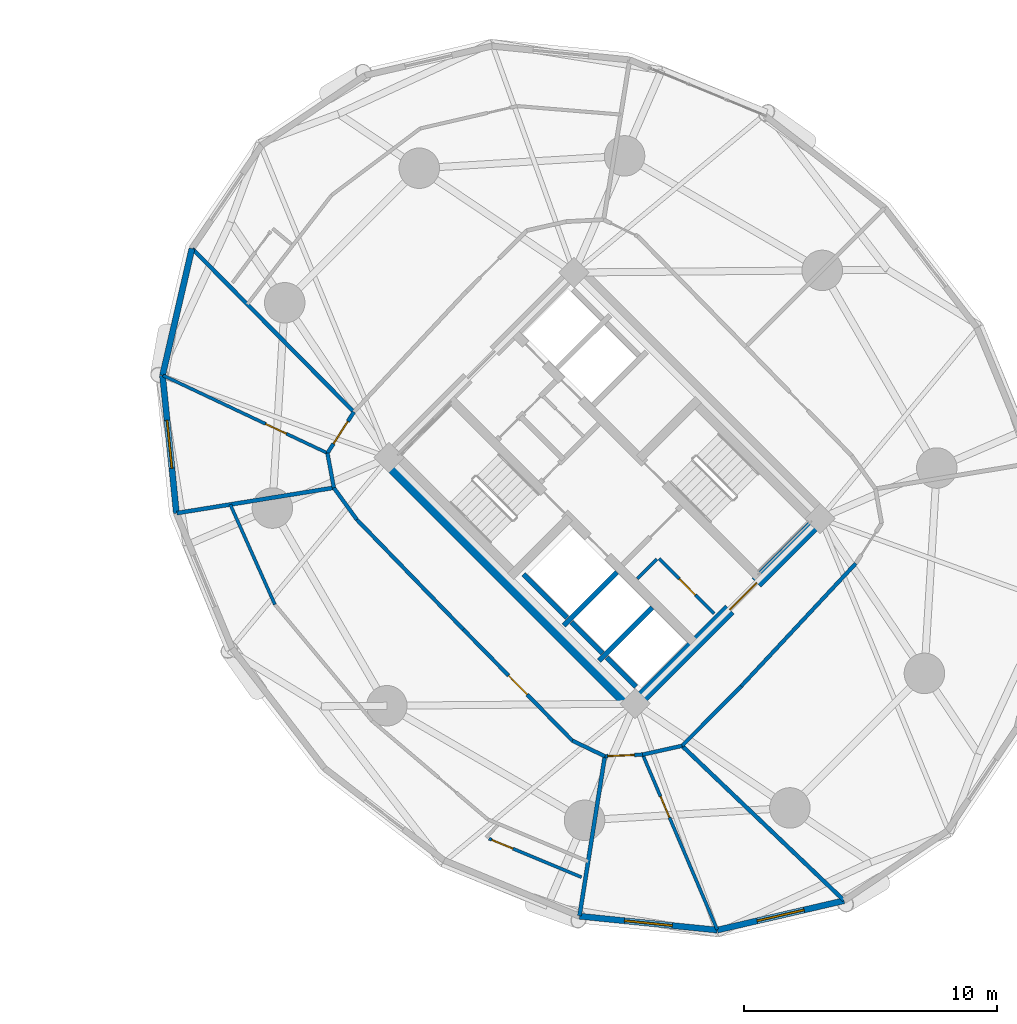
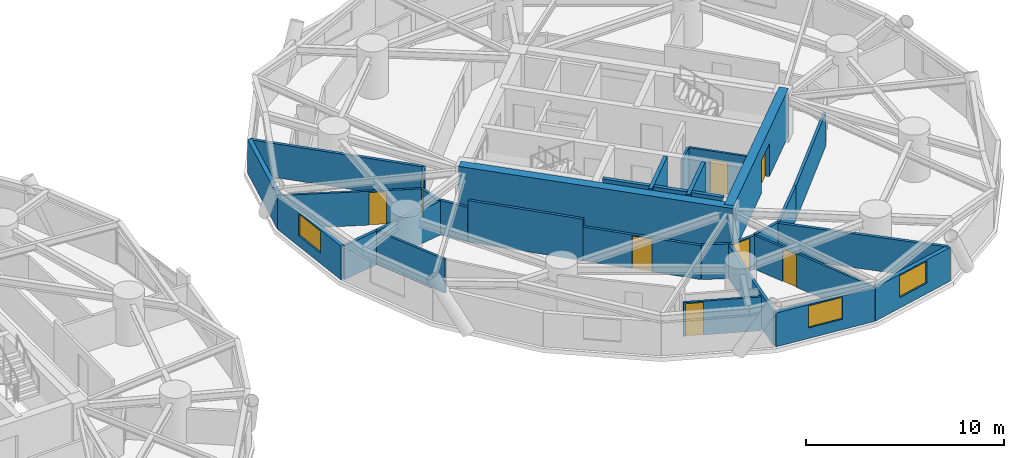
# One storey, part 11 of 16: 31 walls, 8 doors, 3 windows, 11 openings.
"""IFC4 building model written with IfcOpenShell, lengths in metres."""

from ifc_helpers import new_model, si_unit, direction, frame, frame_2d, origin, place, context, subcontext, project, spatial, rectangle, extrude, source, transform, mapped, material, layer, layer_set, type_object, element, fill, save


model = new_model("IFC4")

# Units and contexts
model_context = context("Model", 3, precision=1e-05, world=origin(), true_north=direction((0.0, 1.0)))
body_context = subcontext(model_context, "Body", "Model", "MODEL_VIEW")
ifc_project = project(units=[si_unit("LENGTHUNIT", "METRE"), si_unit("AREAUNIT", "SQUARE_METRE"), si_unit("VOLUMEUNIT", "CUBIC_METRE"), si_unit("PLANEANGLEUNIT", "RADIAN"), si_unit("MASSUNIT", "GRAM", prefix="KILO")], contexts=[model_context])

# Site, building, storey
site_placement = place(None, origin())
site = spatial("IfcSite", under=ifc_project, at=site_placement, CompositionType="ELEMENT")
building_placement = place(site_placement, origin())
building = spatial("IfcBuilding", under=site, at=building_placement, Name="Cununo Teusaquillo Station Towers", CompositionType="ELEMENT")
storey_placement = place(building_placement, frame((0.0, 0.0, 62.739990234375)))
storey = spatial("IfcBuildingStorey", under=building, at=storey_placement, Name="L19", CompositionType="ELEMENT", Elevation=62.739990234375)

# Walls
ifc_material_1 = material(Name="Concrete C50/60", Category="concrete")
ifc_layer_1 = layer(ifc_material_1, 0.199951171875)
ifc_layer_set_1 = layer_set([ifc_layer_1], Name="Concrete C50/60")
wall_type_1 = type_object("IfcWallType", Name="WL-CORE-200", PredefinedType="SHEAR", material=ifc_layer_set_1)
wall_1_placement = place(storey_placement, frame((55.8876953125, 19.0693359375, 0.0), z_axis=(0.0, 0.0, 1.0), x_axis=(0.707106781187, 0.707106781187, 0.0)))
element("IfcWall", 1, at=wall_1_placement, inside=storey, type_object=wall_type_1, Name="L19 Tower B Firefighting Lift Shaft South Shear Wall", PredefinedType="SHEAR", context=body_context, shape_type="SweptSolid", body=[
    extrude(rectangle(XDim=2.969970703125, YDim=0.199951171875, at=frame_2d((1.48486328125, 0.0))), origin(), (0.0, 0.0, 1.0), 2.909912109375),
])
wall_2_placement = place(storey_placement, frame((56.01513671875, 19.366455078125, 0.0), z_axis=(0.0, 0.0, 1.0), x_axis=(-0.707106781187, 0.707106781187, 0.0)))
element("IfcWall", 2, at=wall_2_placement, inside=storey, type_object=wall_type_1, Name="L19 Tower B Firefighting Lift Shaft Rear Shear Wall", PredefinedType="SHEAR", context=body_context, shape_type="SweptSolid", body=[
    extrude(rectangle(XDim=2.43994140625, YDim=0.199951171875, at=frame_2d((1.219970703125, 0.0))), origin(), (0.0, 0.0, 1.0), 2.909912109375),
])
wall_3_placement = place(storey_placement, frame((57.2841796875, 17.6728515625, 0.0), z_axis=(0.0, 0.0, 1.0), x_axis=(0.707147878904, 0.70706568108, 0.0)))
element("IfcWall", 3, at=wall_3_placement, inside=storey, type_object=wall_type_1, Name="L19 Tower B High-Rise Lift Hoistway Divider Shear Wall", PredefinedType="SHEAR", context=body_context, shape_type="SweptSolid", body=[
    extrude(rectangle(XDim=2.97021484375, YDim=0.199951171875, at=frame_2d((1.485107421875, 0.0))), origin(), (0.0, 0.0, 1.0), 2.909912109375),
])
wall_4_placement = place(storey_placement, frame((57.41162109375, 17.969970703125, 0.0), z_axis=(0.0, 0.0, 1.0), x_axis=(-0.707106781187, 0.707106781187, 0.0)))
element("IfcWall", 4, at=wall_4_placement, inside=storey, type_object=wall_type_1, Name="L19 Tower B High-Rise Lift 2 Shaft Rear Shear Wall", PredefinedType="SHEAR", context=body_context, shape_type="SweptSolid", body=[
    extrude(rectangle(XDim=1.73486328125, YDim=0.199951171875, at=frame_2d((0.867431640625, 0.0))), origin(), (0.0, 0.0, 1.0), 2.909912109375),
])
wall_5_placement = place(storey_placement, frame((58.7373046875, 16.64404296875, 0.0), z_axis=(0.0, 0.0, 1.0), x_axis=(-0.707032117043, 0.707181437447, 0.0)))
element("IfcWall", 5, at=wall_5_placement, inside=storey, type_object=wall_type_1, Name="L19 Tower B High-Rise Lift 1 Shaft Rear Shear Wall", PredefinedType="SHEAR", context=body_context, shape_type="SweptSolid", body=[
    extrude(rectangle(XDim=1.635009765625, YDim=0.199951171875, at=frame_2d((0.8173828125, 0.0))), origin(), (0.0, 0.0, 1.0), 2.909912109375),
])
ifc_material_2 = material(Name="Concrete C60/75", Category="concrete")
ifc_layer_2 = layer(ifc_material_2, 0.5)
ifc_layer_set_2 = layer_set([ifc_layer_2], Name="Concrete C60/75")
wall_type_2 = type_object("IfcWallType", Name="WL-CORE-500", PredefinedType="SHEAR", material=ifc_layer_set_2)
wall_6_placement = place(storey_placement, frame((58.772705078125, 15.6611328125, 0.0), z_axis=(0.0, 0.0, 1.0), x_axis=(-0.707106781187, 0.707106781187, 0.0)))
element("IfcWall", 6, at=wall_6_placement, inside=storey, type_object=wall_type_2, Name="L19 Tower B Core Shear Wall W", PredefinedType="SHEAR", context=body_context, shape_type="SweptSolid", body=[
    extrude(rectangle(XDim=14.2998046875, YDim=0.5, at=frame_2d((7.14990234375, 0.0))), origin(), (0.0, 0.0, 1.0), 2.909912109375),
])

# Wall, opening, door
wall_7_placement = place(storey_placement, frame((58.595947265625, 15.837890625, 0.0), z_axis=(0.0, 0.0, 1.0), x_axis=(0.707106781187, 0.707106781187, 0.0)))
wall_7 = element("IfcWall", 7, at=wall_7_placement, inside=storey, type_object=wall_type_2, Name="L19 Tower B Core Shear Wall S", PredefinedType="SHEAR", context=body_context, shape_type="SweptSolid", body=[
    extrude(rectangle(XDim=10.7001953125, YDim=0.5, at=frame_2d((5.35009765625, 0.0))), origin(), (0.0, 0.0, 1.0), 2.909912109375),
])
shared_shape_1 = source(origin(), body_context, "Body", "SweptSolid", [
    extrude(rectangle(XDim=1.5, YDim=2.02001953125, at=frame_2d((0.75, 1.010009765625))), frame((0.0, 0.260009765625, 0.0), z_axis=(0.0, -1.0, 0.0), x_axis=(1.0, 0.0, 0.0)), (0.0, 0.0, 1.0), 0.52001953125),
])
opening_1_placement = place(wall_7_placement, frame((5.449951171875, 0.0, 0.0)))
opening_1 = element("IfcOpeningElement", 8, at=opening_1_placement, cuts=wall_7, Name="Opening D-LB1", PredefinedType="OPENING", context=body_context, shape_type="MappedRepresentation", body=[
    mapped(shared_shape_1, transform((0.0, 0.0, 0.0), x_axis=(1.0, 0.0, 0.0), y_axis=(0.0, 1.0, 0.0), z_axis=(0.0, 0.0, 1.0), scale=1.0)),
])
ifc_material_3 = material(Name="Galvanised fire-rated hollow steel door assembly", Category="steel")
door_type_1 = type_object("IfcDoorType", Name="DR-LOBBY-1500", OperationType="DOUBLE_DOOR_SINGLE_SWING", PredefinedType="DOOR", material=ifc_material_3)
shared_shape_2 = source(origin(), body_context, "Body", "SweptSolid", [
    extrude(rectangle(XDim=1.5, YDim=2.02001953125, at=frame_2d((0.75, 1.010009765625))), frame((0.0, 0.02490234375, 0.0), z_axis=(0.0, -1.0, 0.0), x_axis=(1.0, 0.0, 0.0)), (0.0, 0.0, 1.0), 0.050048828125),
])
door_1_placement = place(opening_1_placement, origin())
door_1 = element("IfcDoor", 9, at=door_1_placement, inside=storey, type_object=door_type_1, Name="L19 Tower B South Core Lift Lobby Door", OperationType="DOUBLE_DOOR_SINGLE_SWING", OverallHeight=2.02001953125, OverallWidth=1.5, PredefinedType="DOOR", context=body_context, shape_type="MappedRepresentation", body=[
    mapped(shared_shape_2, transform((0.0, 0.0, 0.0), x_axis=(1.0, 0.0, 0.0), y_axis=(0.0, 1.0, 0.0), z_axis=(0.0, 0.0, 1.0), scale=1.0)),
])
fill(opening_1, door_1)

# Wall
ifc_material_4 = material(Name="Precast concrete C40/50", Category="concrete")
ifc_layer_3 = layer(ifc_material_4, 0.239990234375)
ifc_layer_set_3 = layer_set([ifc_layer_3], Name="Precast concrete C40/50")
wall_type_3 = type_object("IfcWallType", Name="WL-EXT-240", PredefinedType="SOLIDWALL", material=ifc_layer_set_3)
wall_8_placement = place(storey_placement, frame((40.023681640625, 28.95654296875, 0.0), z_axis=(0.0, 0.0, 1.0), x_axis=(0.225833060959, 0.974166016949, 0.0)))
element("IfcWall", 10, at=wall_8_placement, inside=storey, type_object=wall_type_3, Name="L19 Tower B Exterior Facade Wall C06", PredefinedType="SOLIDWALL", context=body_context, shape_type="SweptSolid", body=[
    extrude(rectangle(XDim=5.14599609375, YDim=0.239990234375, at=frame_2d((2.572998046875, 0.0))), origin(), (0.0, 0.0, 1.0), 2.0791015625),
])

# Wall, opening, window
wall_9_placement = place(storey_placement, frame((40.572265625, 23.50732421875, 0.0), z_axis=(0.0, 0.0, 1.0), x_axis=(-0.100165739718, 0.994970765694, 0.0)))
wall_9 = element("IfcWall", 11, at=wall_9_placement, inside=storey, type_object=wall_type_3, Name="L19 Tower B Exterior Facade Wall C07", PredefinedType="SOLIDWALL", context=body_context, shape_type="SweptSolid", body=[
    extrude(rectangle(XDim=5.476806640625, YDim=0.239990234375, at=frame_2d((2.73828125, 0.0))), origin(), (0.0, 0.0, 1.0), 2.0791015625),
])
shared_shape_3 = source(origin(), body_context, "Body", "SweptSolid", [
    extrude(rectangle(XDim=1.89990234375, YDim=1.35009765625, at=frame_2d((0.949951171875, 0.675048828125))), frame((0.0, 0.1298828125, 0.0), z_axis=(0.0, -1.0, 0.0), x_axis=(1.0, 0.0, 0.0)), (0.0, 0.0, 1.0), 0.260009765625),
])
opening_2_placement = place(wall_9_placement, frame((1.7880859375, 0.0, 0.64990234375)))
opening_2 = element("IfcOpeningElement", 12, at=opening_2_placement, cuts=wall_9, Name="Opening WN-02", PredefinedType="OPENING", context=body_context, shape_type="MappedRepresentation", body=[
    mapped(shared_shape_3, transform((0.0, 0.0, 0.0), x_axis=(1.0, 0.0, 0.0), y_axis=(0.0, 1.0, 0.0), z_axis=(0.0, 0.0, 1.0), scale=1.0)),
])
ifc_material_5 = material(Name="Operable acoustic tinted low-E double glazing", Category="glass")
window_type = type_object("IfcWindowType", Name="WIN-OPER-1900", PartitioningType="DOUBLE_PANEL_VERTICAL", PredefinedType="WINDOW", material=ifc_material_5)
shared_shape_4 = source(origin(), body_context, "Body", "SweptSolid", [
    extrude(rectangle(XDim=1.89990234375, YDim=1.35009765625, at=frame_2d((0.949951171875, 0.675048828125))), frame((0.0, 0.030029296875, 0.0), z_axis=(0.0, -1.0, 0.0), x_axis=(1.0, 0.0, 0.0)), (0.0, 0.0, 1.0), 0.06005859375),
])
window_1_placement = place(opening_2_placement, origin())
window_1 = element("IfcWindow", 13, at=window_1_placement, inside=storey, type_object=window_type, Name="L19 Tower B Facade Window C07", OverallHeight=1.35009765625, OverallWidth=1.89990234375, PartitioningType="DOUBLE_PANEL_VERTICAL", PredefinedType="WINDOW", context=body_context, shape_type="MappedRepresentation", body=[
    mapped(shared_shape_4, transform((0.0, 0.0, 0.0), x_axis=(1.0, 0.0, 0.0), y_axis=(0.0, 1.0, 0.0), z_axis=(0.0, 0.0, 1.0), scale=1.0)),
])
fill(opening_2, window_1)

wall_10_placement = place(storey_placement, frame((61.95654296875, 7.023681640625, 0.0), z_axis=(0.0, 0.0, 1.0), x_axis=(-0.994970765694, 0.100165739718, 0.0)))
wall_10 = element("IfcWall", 14, at=wall_10_placement, inside=storey, type_object=wall_type_3, Name="L19 Tower B Exterior Facade Wall C12", PredefinedType="SOLIDWALL", context=body_context, shape_type="SweptSolid", body=[
    extrude(rectangle(XDim=5.476806640625, YDim=0.239990234375, at=frame_2d((2.73828125, 0.0))), origin(), (0.0, 0.0, 1.0), 2.0791015625),
])
opening_3_placement = place(wall_10_placement, frame((1.7880859375, 0.0, 0.64990234375)))
opening_3 = element("IfcOpeningElement", 15, at=opening_3_placement, cuts=wall_10, Name="Opening WN-02", PredefinedType="OPENING", context=body_context, shape_type="MappedRepresentation", body=[
    mapped(shared_shape_3, transform((0.0, 0.0, 0.0), x_axis=(1.0, 0.0, 0.0), y_axis=(0.0, 1.0, 0.0), z_axis=(0.0, 0.0, 1.0), scale=1.0)),
])
window_2_placement = place(opening_3_placement, origin())
window_2 = element("IfcWindow", 16, at=window_2_placement, inside=storey, type_object=window_type, Name="L19 Tower B Facade Window C12", OverallHeight=1.35009765625, OverallWidth=1.89990234375, PartitioningType="DOUBLE_PANEL_VERTICAL", PredefinedType="WINDOW", context=body_context, shape_type="MappedRepresentation", body=[
    mapped(shared_shape_4, transform((0.0, 0.0, 0.0), x_axis=(1.0, 0.0, 0.0), y_axis=(0.0, 1.0, 0.0), z_axis=(0.0, 0.0, 1.0), scale=1.0)),
])
fill(opening_3, window_2)

wall_11_placement = place(storey_placement, frame((66.969482421875, 8.185791015625, 0.0), z_axis=(0.0, 0.0, 1.0), x_axis=(-0.974166016949, -0.225833060959, 0.0)))
wall_11 = element("IfcWall", 17, at=wall_11_placement, inside=storey, type_object=wall_type_3, Name="L19 Tower B Exterior Facade Wall C13", PredefinedType="SOLIDWALL", context=body_context, shape_type="SweptSolid", body=[
    extrude(rectangle(XDim=5.14599609375, YDim=0.239990234375, at=frame_2d((2.572998046875, 0.0))), origin(), (0.0, 0.0, 1.0), 2.0791015625),
])
opening_4_placement = place(wall_11_placement, frame((1.623046875, 0.0, 0.64990234375)))
opening_4 = element("IfcOpeningElement", 18, at=opening_4_placement, cuts=wall_11, Name="Opening WN-02", PredefinedType="OPENING", context=body_context, shape_type="MappedRepresentation", body=[
    mapped(shared_shape_3, transform((0.0, 0.0, 0.0), x_axis=(1.0, 0.0, 0.0), y_axis=(0.0, 1.0, 0.0), z_axis=(0.0, 0.0, 1.0), scale=1.0)),
])
window_3_placement = place(opening_4_placement, origin())
window_3 = element("IfcWindow", 19, at=window_3_placement, inside=storey, type_object=window_type, Name="L19 Tower B Facade Window C13", OverallHeight=1.35009765625, OverallWidth=1.89990234375, PartitioningType="DOUBLE_PANEL_VERTICAL", PredefinedType="WINDOW", context=body_context, shape_type="MappedRepresentation", body=[
    mapped(shared_shape_4, transform((0.0, 0.0, 0.0), x_axis=(1.0, 0.0, 0.0), y_axis=(0.0, 1.0, 0.0), z_axis=(0.0, 0.0, 1.0), scale=1.0)),
])
fill(opening_4, window_3)

# Wall, opening, door
ifc_material_6 = material(Name="Fire-rated gypsum plasterboard partition assembly", Category="gypsum")
ifc_layer_4 = layer(ifc_material_6, 0.125)
ifc_layer_set_4 = layer_set([ifc_layer_4], Name="Fire-rated gypsum plasterboard partition assembly")
wall_type_4 = type_object("IfcWallType", Name="WL-PART-125", PredefinedType="PARTITIONING", material=ifc_layer_set_4)
wall_12_placement = place(storey_placement, frame((61.834716796875, 19.529052734375, 0.0), z_axis=(0.0, 0.0, 1.0), x_axis=(-0.707146413884, 0.707067146267, 0.0)))
wall_12 = element("IfcWall", 20, at=wall_12_placement, inside=storey, type_object=wall_type_4, Name="L19 Tower B South-West Tall Store East Wall", PredefinedType="PARTITIONING", context=body_context, shape_type="SweptSolid", body=[
    extrude(rectangle(XDim=3.079833984375, YDim=0.125, at=frame_2d((1.5400390625, 0.0))), origin(), (0.0, 0.0, 1.0), 2.554931640625),
])
shared_shape_5 = source(origin(), body_context, "Body", "SweptSolid", [
    extrude(rectangle(XDim=0.89990234375, YDim=2.0048828125, at=frame_2d((0.449951171875, 1.00244140625))), frame((0.0, 0.072509765625, 0.0), z_axis=(0.0, -1.0, 0.0), x_axis=(1.0, 0.0, 0.0)), (0.0, 0.0, 1.0), 0.14501953125),
])
opening_5_placement = place(wall_12_placement, frame((1.050048828125, 0.0, 0.0)))
opening_5 = element("IfcOpeningElement", 21, at=opening_5_placement, cuts=wall_12, Name="Opening D-SR1", PredefinedType="OPENING", context=body_context, shape_type="MappedRepresentation", body=[
    mapped(shared_shape_5, transform((0.0, 0.0, 0.0), x_axis=(1.0, 0.0, 0.0), y_axis=(0.0, 1.0, 0.0), z_axis=(0.0, 0.0, 1.0), scale=1.0)),
])
ifc_material_7 = material(Name="Galvanised fire-rated hollow steel door assembly", Category="steel")
door_type_2 = type_object("IfcDoorType", Name="DR-STORE-900", OperationType="NOTDEFINED", PredefinedType="DOOR", material=ifc_material_7)
shared_shape_6 = source(origin(), body_context, "Body", "SweptSolid", [
    extrude(rectangle(XDim=0.89990234375, YDim=2.0048828125, at=frame_2d((0.449951171875, 1.00244140625))), frame((0.0, 0.02490234375, 0.0), z_axis=(0.0, -1.0, 0.0), x_axis=(1.0, 0.0, 0.0)), (0.0, 0.0, 1.0), 0.050048828125),
])
door_2_placement = place(opening_5_placement, origin())
door_2 = element("IfcDoor", 22, at=door_2_placement, inside=storey, type_object=door_type_2, Name="L19 Tower B South Cleaners Store Door", OperationType="SINGLE_SWING_LEFT", OverallHeight=2.0048828125, OverallWidth=0.89990234375, PredefinedType="DOOR", context=body_context, shape_type="MappedRepresentation", body=[
    mapped(shared_shape_6, transform((0.0, 0.0, 0.0), x_axis=(1.0, 0.0, 0.0), y_axis=(0.0, 1.0, 0.0), z_axis=(0.0, 0.0, 1.0), scale=1.0)),
])
fill(opening_5, door_2)

# Wall
wall_13_placement = place(storey_placement, frame((58.7939453125, 20.9150390625, 0.0), z_axis=(0.0, 0.0, 1.0), x_axis=(0.707106781187, 0.707106781187, 0.0)))
element("IfcWall", 23, at=wall_13_placement, inside=storey, type_object=wall_type_4, Name="L19 Tower B South-West Tall Store North Wall", PredefinedType="PARTITIONING", context=body_context, shape_type="SweptSolid", body=[
    extrude(rectangle(XDim=1.10009765625, YDim=0.125, at=frame_2d((0.550048828125, 0.0))), origin(), (0.0, 0.0, 1.0), 2.554931640625),
])

# Wall, opening, door
wall_14_placement = place(storey_placement, frame((46.543212890625, 25.882080078125, 0.0), z_axis=(0.0, 0.0, 1.0), x_axis=(-0.904143350922, 0.427229213635, 0.0)))
wall_14 = element("IfcWall", 24, at=wall_14_placement, inside=storey, type_object=wall_type_4, Name="L19 Tower B Wellness Fitness & Movement Hall Suite Subdividing Wall", PredefinedType="PARTITIONING", context=body_context, shape_type="SweptSolid", body=[
    extrude(rectangle(XDim=7.18896484375, YDim=0.125, at=frame_2d((3.594482421875, 0.0))), origin(), (0.0, 0.0, 1.0), 2.0791015625),
])
opening_6_placement = place(wall_14_placement, frame((1.800048828125, 0.0, 0.0)))
opening_6 = element("IfcOpeningElement", 25, at=opening_6_placement, cuts=wall_14, Name="Opening D-IN1", PredefinedType="OPENING", context=body_context, shape_type="MappedRepresentation", body=[
    mapped(shared_shape_5, transform((0.0, 0.0, 0.0), x_axis=(1.0, 0.0, 0.0), y_axis=(0.0, 1.0, 0.0), z_axis=(0.0, 0.0, 1.0), scale=1.0)),
])
ifc_material_8 = material(Name="Acoustic solid-core hardwood leaf assembly", Category="wood")
door_type_3 = type_object("IfcDoorType", Name="DR-INT-900", OperationType="NOTDEFINED", PredefinedType="DOOR", material=ifc_material_8)
door_3_placement = place(opening_6_placement, origin())
door_3 = element("IfcDoor", 26, at=door_3_placement, inside=storey, type_object=door_type_3, Name="L19 Tower B Wellness Fitness & Movement Hall Suite Connecting Door", OperationType="SINGLE_SWING_RIGHT", OverallHeight=2.0048828125, OverallWidth=0.89990234375, PredefinedType="DOOR", context=body_context, shape_type="MappedRepresentation", body=[
    mapped(shared_shape_6, transform((0.0, 0.0, 0.0), x_axis=(1.0, 0.0, 0.0), y_axis=(0.0, 1.0, 0.0), z_axis=(0.0, 0.0, 1.0), scale=1.0)),
])
fill(opening_6, door_3)

# Wall
wall_15_placement = place(storey_placement, frame((42.701171875, 23.851318359375, 0.0), z_axis=(0.0, 0.0, 1.0), x_axis=(0.407189252031, -0.913343808777, 0.0)))
element("IfcWall", 27, at=wall_15_placement, inside=storey, type_object=wall_type_4, Name="L19 Tower B Executive Wellness Hotel Suite Concentric Partition Wall C08", PredefinedType="PARTITIONING", context=body_context, shape_type="SweptSolid", body=[
    extrude(rectangle(XDim=4.33203125, YDim=0.125, at=frame_2d((2.166015625, 0.0))), origin(), (0.0, 0.0, 1.0), 2.0791015625),
])

# Wall, opening, door
wall_16_placement = place(storey_placement, frame((52.929931640625, 10.63818359375, 0.0), z_axis=(0.0, 0.0, 1.0), x_axis=(0.923065985722, -0.384641633217, 0.0)))
wall_16 = element("IfcWall", 28, at=wall_16_placement, inside=storey, type_object=wall_type_4, Name="L19 Tower B S03 En-suite Back Wall", PredefinedType="PARTITIONING", context=body_context, shape_type="SweptSolid", body=[
    extrude(rectangle(XDim=3.962646484375, YDim=0.125, at=frame_2d((1.9814453125, 0.0))), origin(), (0.0, 0.0, 1.0), 2.0791015625),
])
opening_7_placement = place(wall_16_placement, frame((0.1201171875, 0.0, 0.0)))
opening_7 = element("IfcOpeningElement", 29, at=opening_7_placement, cuts=wall_16, Name="Opening D-IN1", PredefinedType="OPENING", context=body_context, shape_type="MappedRepresentation", body=[
    mapped(shared_shape_5, transform((0.0, 0.0, 0.0), x_axis=(1.0, 0.0, 0.0), y_axis=(0.0, 1.0, 0.0), z_axis=(0.0, 0.0, 1.0), scale=1.0)),
])
door_4_placement = place(opening_7_placement, origin())
door_4 = element("IfcDoor", 30, at=door_4_placement, inside=storey, type_object=door_type_3, Name="L19 Tower B S03 En-suite Bathroom Door", OperationType="SINGLE_SWING_LEFT", OverallHeight=2.0048828125, OverallWidth=0.89990234375, PredefinedType="DOOR", context=body_context, shape_type="MappedRepresentation", body=[
    mapped(shared_shape_6, transform((0.0, 0.0, 0.0), x_axis=(1.0, 0.0, 0.0), y_axis=(0.0, 1.0, 0.0), z_axis=(0.0, 0.0, 1.0), scale=1.0)),
])
fill(opening_7, door_4)

wall_17_placement = place(storey_placement, frame((59.008056640625, 13.962890625, 0.0), z_axis=(0.0, 0.0, 1.0), x_axis=(0.391653414374, -0.920112820805, 0.0)))
wall_17 = element("IfcWall", 31, at=wall_17_placement, inside=storey, type_object=wall_type_4, Name="L19 Tower B Botanical Relaxation Tea Lounge Suite Subdividing Wall", PredefinedType="PARTITIONING", context=body_context, shape_type="SweptSolid", body=[
    extrude(rectangle(XDim=7.520263671875, YDim=0.125, at=frame_2d((3.76025390625, 0.0))), origin(), (0.0, 0.0, 1.0), 2.0791015625),
])
opening_8_placement = place(wall_17_placement, frame((1.800048828125, 0.0, 0.0)))
opening_8 = element("IfcOpeningElement", 32, at=opening_8_placement, cuts=wall_17, Name="Opening D-IN1", PredefinedType="OPENING", context=body_context, shape_type="MappedRepresentation", body=[
    mapped(shared_shape_5, transform((0.0, 0.0, 0.0), x_axis=(1.0, 0.0, 0.0), y_axis=(0.0, 1.0, 0.0), z_axis=(0.0, 0.0, 1.0), scale=1.0)),
])
door_5_placement = place(opening_8_placement, origin())
door_5 = element("IfcDoor", 33, at=door_5_placement, inside=storey, type_object=door_type_3, Name="L19 Tower B Botanical Relaxation Tea Lounge Suite Connecting Door", OperationType="SINGLE_SWING_LEFT", OverallHeight=2.0048828125, OverallWidth=0.89990234375, PredefinedType="DOOR", context=body_context, shape_type="MappedRepresentation", body=[
    mapped(shared_shape_6, transform((0.0, 0.0, 0.0), x_axis=(1.0, 0.0, 0.0), y_axis=(0.0, 1.0, 0.0), z_axis=(0.0, 0.0, 1.0), scale=1.0)),
])
fill(opening_8, door_5)

ifc_material_9 = material(Name="Fire-rated gypsum plasterboard partition assembly", Category="gypsum")
ifc_layer_5 = layer(ifc_material_9, 0.14990234375)
ifc_layer_set_5 = layer_set([ifc_layer_5], Name="Fire-rated gypsum plasterboard partition assembly")
wall_type_5 = type_object("IfcWallType", Name="WL-PART-150", PredefinedType="PARTITIONING", material=ifc_layer_set_5)
wall_18_placement = place(storey_placement, frame((47.58837890625, 27.51025390625, 0.0), z_axis=(0.0, 0.0, 1.0), x_axis=(-0.540202619347, -0.841534984449, 0.0)))
wall_18 = element("IfcWall", 34, at=wall_18_placement, inside=storey, type_object=wall_type_5, Name="L19 Tower B Corridor Ring Wall C06", PredefinedType="PARTITIONING", context=body_context, shape_type="SweptSolid", body=[
    extrude(rectangle(XDim=1.934814453125, YDim=0.14990234375, at=frame_2d((0.96728515625, 0.0))), origin(), (0.0, 0.0, 1.0), 2.0791015625),
])
shared_shape_7 = source(origin(), body_context, "Body", "SweptSolid", [
    extrude(rectangle(XDim=1.050048828125, YDim=2.014892578125, at=frame_2d((0.52490234375, 1.00732421875))), frame((0.0, 0.0849609375, 0.0), z_axis=(0.0, -1.0, 0.0), x_axis=(1.0, 0.0, 0.0)), (0.0, 0.0, 1.0), 0.169921875),
])
opening_9_placement = place(wall_18_placement, frame((0.4423828125, 0.0, 0.0)))
opening_9 = element("IfcOpeningElement", 35, at=opening_9_placement, cuts=wall_18, Name="Opening D-SU1", PredefinedType="OPENING", context=body_context, shape_type="MappedRepresentation", body=[
    mapped(shared_shape_7, transform((0.0, 0.0, 0.0), x_axis=(1.0, 0.0, 0.0), y_axis=(0.0, 1.0, 0.0), z_axis=(0.0, 0.0, 1.0), scale=1.0)),
])
ifc_material_10 = material(Name="Acoustic solid-core hardwood leaf assembly", Category="wood")
door_type_4 = type_object("IfcDoorType", Name="DR-SUITE-1050", OperationType="NOTDEFINED", PredefinedType="DOOR", material=ifc_material_10)
shared_shape_8 = source(origin(), body_context, "Body", "SweptSolid", [
    extrude(rectangle(XDim=1.050048828125, YDim=2.014892578125, at=frame_2d((0.52490234375, 1.00732421875))), frame((0.0, 0.02490234375, 0.0), z_axis=(0.0, -1.0, 0.0), x_axis=(1.0, 0.0, 0.0)), (0.0, 0.0, 1.0), 0.050048828125),
])
door_6_placement = place(opening_9_placement, origin())
door_6 = element("IfcDoor", 36, at=door_6_placement, inside=storey, type_object=door_type_4, Name="L19 Tower B Wellness Fitness & Movement Hall Entrance Door", OperationType="SINGLE_SWING_LEFT", OverallHeight=2.014892578125, OverallWidth=1.050048828125, PredefinedType="DOOR", context=body_context, shape_type="MappedRepresentation", body=[
    mapped(shared_shape_8, transform((0.0, 0.0, 0.0), x_axis=(1.0, 0.0, 0.0), y_axis=(0.0, 1.0, 0.0), z_axis=(0.0, 0.0, 1.0), scale=1.0)),
])
fill(opening_9, door_6)

# Walls
wall_19_placement = place(storey_placement, frame((46.543212890625, 25.882080078125, 0.0), z_axis=(0.0, 0.0, 1.0), x_axis=(0.181153502579, -0.983454832976, 0.0)))
element("IfcWall", 37, at=wall_19_placement, inside=storey, type_object=wall_type_5, Name="L19 Tower B Corridor Ring Wall C07", PredefinedType="PARTITIONING", context=body_context, shape_type="SweptSolid", body=[
    extrude(rectangle(XDim=1.39208984375, YDim=0.14990234375, at=frame_2d((0.696044921875, 0.0))), origin(), (0.0, 0.0, 1.0), 2.0791015625),
])
wall_20_placement = place(storey_placement, frame((46.79541015625, 24.512939453125, 0.0), z_axis=(0.0, 0.0, 1.0), x_axis=(0.585628197524, -0.810579801294, 0.0)))
element("IfcWall", 38, at=wall_20_placement, inside=storey, type_object=wall_type_5, Name="L19 Tower B Corridor Ring Wall C08", PredefinedType="PARTITIONING", context=body_context, shape_type="SweptSolid", body=[
    extrude(rectangle(XDim=1.55419921875, YDim=0.14990234375, at=frame_2d((0.777099609375, 0.0))), origin(), (0.0, 0.0, 1.0), 2.125),
])
wall_21_placement = place(storey_placement, frame((47.70556640625, 23.253173828125, 0.0), z_axis=(0.0, 0.0, 1.0), x_axis=(0.696179266346, -0.717867974707, 0.0)))
element("IfcWall", 39, at=wall_21_placement, inside=storey, type_object=wall_type_5, Name="L19 Tower B Corridor Ring Wall C09", PredefinedType="PARTITIONING", context=body_context, shape_type="SweptSolid", body=[
    extrude(rectangle(XDim=6.044677734375, YDim=0.14990234375, at=frame_2d((3.0224609375, 0.0))), origin(), (0.0, 0.0, 1.0), 2.554931640625),
])

# Wall, opening, door
wall_22_placement = place(storey_placement, frame((51.913818359375, 18.913818359375, 0.0), z_axis=(0.0, 0.0, 1.0), x_axis=(0.699999313799, -0.714143515465, 0.0)))
wall_22 = element("IfcWall", 40, at=wall_22_placement, inside=storey, type_object=wall_type_5, Name="L19 Tower B Corridor Ring Wall C10", PredefinedType="PARTITIONING", context=body_context, shape_type="SweptSolid", body=[
    extrude(rectangle(XDim=6.162109375, YDim=0.14990234375, at=frame_2d((3.0810546875, 0.0))), origin(), (0.0, 0.0, 1.0), 2.0791015625),
])
opening_10_placement = place(wall_22_placement, frame((2.55615234375, 0.0, 0.0)))
opening_10 = element("IfcOpeningElement", 41, at=opening_10_placement, cuts=wall_22, Name="Opening D-SU1", PredefinedType="OPENING", context=body_context, shape_type="MappedRepresentation", body=[
    mapped(shared_shape_7, transform((0.0, 0.0, 0.0), x_axis=(1.0, 0.0, 0.0), y_axis=(0.0, 1.0, 0.0), z_axis=(0.0, 0.0, 1.0), scale=1.0)),
])
door_7_placement = place(opening_10_placement, origin())
door_7 = element("IfcDoor", 42, at=door_7_placement, inside=storey, type_object=door_type_4, Name="L19 Tower B Executive Wellness Hotel Suite Entrance Door", OperationType="SINGLE_SWING_LEFT", OverallHeight=2.014892578125, OverallWidth=1.050048828125, PredefinedType="DOOR", context=body_context, shape_type="MappedRepresentation", body=[
    mapped(shared_shape_8, transform((0.0, 0.0, 0.0), x_axis=(1.0, 0.0, 0.0), y_axis=(0.0, 1.0, 0.0), z_axis=(0.0, 0.0, 1.0), scale=1.0)),
])
fill(opening_10, door_7)

# Wall
wall_23_placement = place(storey_placement, frame((56.227294921875, 14.51318359375, 0.0), z_axis=(0.0, 0.0, 1.0), x_axis=(0.901477579283, -0.432825801044, 0.0)))
element("IfcWall", 43, at=wall_23_placement, inside=storey, type_object=wall_type_5, Name="L19 Tower B Corridor Ring Wall C11", PredefinedType="PARTITIONING", context=body_context, shape_type="SweptSolid", body=[
    extrude(rectangle(XDim=1.42431640625, YDim=0.14990234375, at=frame_2d((0.712158203125, 0.0))), origin(), (0.0, 0.0, 1.0), 2.125),
])

# Wall, opening, door
wall_24_placement = place(storey_placement, frame((57.51123046875, 13.896728515625, 0.0), z_axis=(0.0, 0.0, 1.0), x_axis=(0.999024538494, 0.044158481476, 0.0)))
wall_24 = element("IfcWall", 44, at=wall_24_placement, inside=storey, type_object=wall_type_5, Name="L19 Tower B Corridor Ring Wall C12", PredefinedType="PARTITIONING", context=body_context, shape_type="SweptSolid", body=[
    extrude(rectangle(XDim=1.498291015625, YDim=0.14990234375, at=frame_2d((0.7490234375, 0.0))), origin(), (0.0, 0.0, 1.0), 2.0791015625),
])
opening_11_placement = place(wall_24_placement, frame((0.1201171875, 0.0, 0.0)))
opening_11 = element("IfcOpeningElement", 45, at=opening_11_placement, cuts=wall_24, Name="Opening D-SU1", PredefinedType="OPENING", context=body_context, shape_type="MappedRepresentation", body=[
    mapped(shared_shape_7, transform((0.0, 0.0, 0.0), x_axis=(1.0, 0.0, 0.0), y_axis=(0.0, 1.0, 0.0), z_axis=(0.0, 0.0, 1.0), scale=1.0)),
])
door_8_placement = place(opening_11_placement, origin())
door_8 = element("IfcDoor", 46, at=door_8_placement, inside=storey, type_object=door_type_4, Name="L19 Tower B Botanical Relaxation Tea Lounge Entrance Door", OperationType="SINGLE_SWING_RIGHT", OverallHeight=2.014892578125, OverallWidth=1.050048828125, PredefinedType="DOOR", context=body_context, shape_type="MappedRepresentation", body=[
    mapped(shared_shape_8, transform((0.0, 0.0, 0.0), x_axis=(1.0, 0.0, 0.0), y_axis=(0.0, 1.0, 0.0), z_axis=(0.0, 0.0, 1.0), scale=1.0)),
])
fill(opening_11, door_8)

# Walls
wall_25_placement = place(storey_placement, frame((59.008056640625, 13.962890625, 0.0), z_axis=(0.0, 0.0, 1.0), x_axis=(0.976020856791, 0.21767702476, 0.0)))
element("IfcWall", 47, at=wall_25_placement, inside=storey, type_object=wall_type_5, Name="L19 Tower B Corridor Ring Wall C13", PredefinedType="PARTITIONING", context=body_context, shape_type="SweptSolid", body=[
    extrude(rectangle(XDim=1.592529296875, YDim=0.14990234375, at=frame_2d((0.79638671875, 0.0))), origin(), (0.0, 0.0, 1.0), 2.125),
])
wall_26_placement = place(storey_placement, frame((60.5625, 14.3095703125, 0.0), z_axis=(0.0, 0.0, 1.0), x_axis=(0.704566236161, 0.709638230975, 0.0)))
element("IfcWall", 48, at=wall_26_placement, inside=storey, type_object=wall_type_5, Name="L19 Tower B Corridor Ring Wall C14", PredefinedType="PARTITIONING", context=body_context, shape_type="SweptSolid", body=[
    extrude(rectangle(XDim=3.3212890625, YDim=0.14990234375, at=frame_2d((1.66064453125, 0.0))), origin(), (0.0, 0.0, 1.0), 2.0791015625),
])
wall_27_placement = place(storey_placement, frame((62.902587890625, 16.66650390625, 0.0), z_axis=(0.0, 0.0, 1.0), x_axis=(0.682371947497, 0.731005147225, 0.0)))
element("IfcWall", 49, at=wall_27_placement, inside=storey, type_object=wall_type_5, Name="L19 Tower B Corridor Ring Wall C15", PredefinedType="PARTITIONING", context=body_context, shape_type="SweptSolid", body=[
    extrude(rectangle(XDim=6.6416015625, YDim=0.14990234375, at=frame_2d((3.32080078125, 0.0))), origin(), (0.0, 0.0, 1.0), 2.0791015625),
])
ifc_material_11 = material(Name="Fire-rated gypsum plasterboard partition assembly", Category="gypsum")
ifc_layer_6 = layer(ifc_material_11, 0.159912109375)
ifc_layer_set_6 = layer_set([ifc_layer_6], Name="Fire-rated gypsum plasterboard partition assembly")
wall_type_6 = type_object("IfcWallType", Name="WL-PART-160", PredefinedType="PARTITIONING", material=ifc_layer_set_6)
wall_28_placement = place(storey_placement, frame((47.58837890625, 27.51025390625, 0.0), z_axis=(0.0, 0.0, 1.0), x_axis=(-0.703506421614, 0.710688901523, 0.0)))
element("IfcWall", 50, at=wall_28_placement, inside=storey, type_object=wall_type_6, Name="L19 Tower B Radial Suite Partition R03", PredefinedType="PARTITIONING", context=body_context, shape_type="SweptSolid", body=[
    extrude(rectangle(XDim=9.07568359375, YDim=0.159912109375, at=frame_2d((4.537841796875, 0.0))), origin(), (0.0, 0.0, 1.0), 2.0791015625),
])
wall_29_placement = place(storey_placement, frame((46.79541015625, 24.512939453125, 0.0), z_axis=(0.0, 0.0, 1.0), x_axis=(-0.987194583954, -0.159520699005, 0.0)))
element("IfcWall", 51, at=wall_29_placement, inside=storey, type_object=wall_type_6, Name="L19 Tower B Radial Suite Partition R04", PredefinedType="PARTITIONING", context=body_context, shape_type="SweptSolid", body=[
    extrude(rectangle(XDim=6.2841796875, YDim=0.159912109375, at=frame_2d((3.14208984375, 0.0))), origin(), (0.0, 0.0, 1.0), 2.0791015625),
])
wall_30_placement = place(storey_placement, frame((57.51123046875, 13.896728515625, 0.0), z_axis=(0.0, 0.0, 1.0), x_axis=(-0.156759846635, -0.98763675027, 0.0)))
element("IfcWall", 52, at=wall_30_placement, inside=storey, type_object=wall_type_6, Name="L19 Tower B Radial Suite Partition R05", PredefinedType="PARTITIONING", context=body_context, shape_type="SweptSolid", body=[
    extrude(rectangle(XDim=6.3837890625, YDim=0.159912109375, at=frame_2d((3.19189453125, 0.0))), origin(), (0.0, 0.0, 1.0), 2.0791015625),
])
wall_31_placement = place(storey_placement, frame((60.5625, 14.3095703125, 0.0), z_axis=(0.0, 0.0, 1.0), x_axis=(0.723408813637, -0.690419936236, 0.0)))
element("IfcWall", 53, at=wall_31_placement, inside=storey, type_object=wall_type_6, Name="L19 Tower B Radial Suite Partition R06", PredefinedType="PARTITIONING", context=body_context, shape_type="SweptSolid", body=[
    extrude(rectangle(XDim=8.84375, YDim=0.159912109375, at=frame_2d((4.421875, 0.0))), origin(), (0.0, 0.0, 1.0), 2.0791015625),
])

save(model, "model.ifc")
